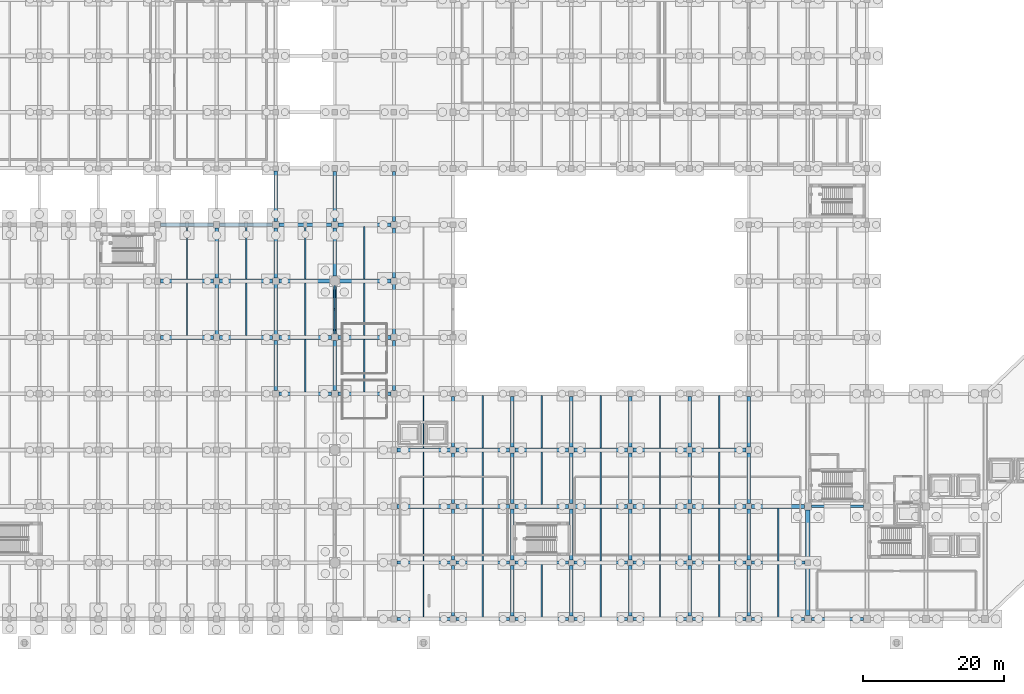
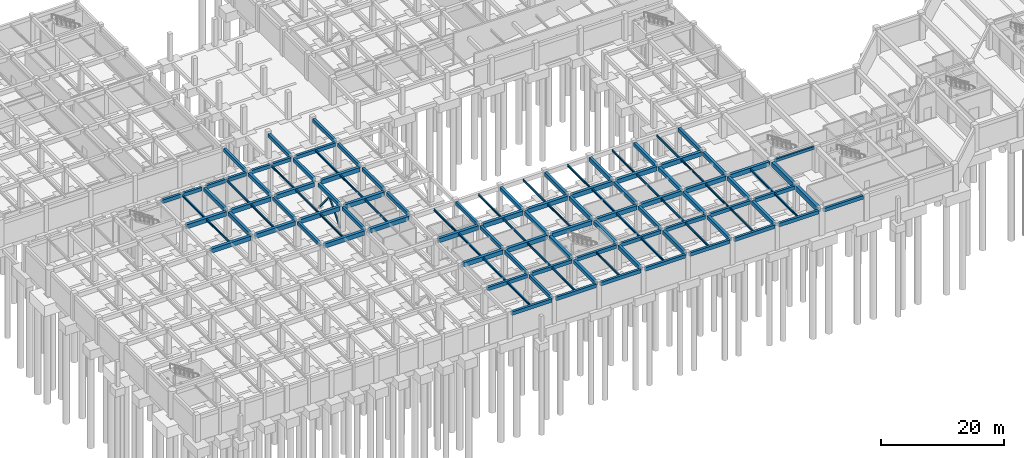
# One storey, part 31 of 56: 117 beams, 2 members.
"""IFC4 building model written with IfcOpenShell, lengths in metres."""

from ifc_helpers import new_model, si_unit, direction, frame, origin, origin_2d, place, context, subcontext, project, spatial, rectangle, hollow_rectangle, i_section, extrude, material, material_profile, profile_set, type_object, element, save


model = new_model("IFC4")

# Units and contexts
model_context = context("Model", 3, precision=1e-05, world=origin(), true_north=direction((0.0, 1.0)))
body_context = subcontext(model_context, "Body", "Model", "MODEL_VIEW")
ifc_project = project(units=[si_unit("LENGTHUNIT", "METRE"), si_unit("AREAUNIT", "SQUARE_METRE"), si_unit("VOLUMEUNIT", "CUBIC_METRE"), si_unit("PLANEANGLEUNIT", "RADIAN"), si_unit("MASSUNIT", "GRAM", prefix="KILO")], contexts=[model_context])

# Site, building, storey
site_placement = place(None, origin())
site = spatial("IfcSite", under=ifc_project, at=site_placement, CompositionType="ELEMENT")
building_placement = place(site_placement, origin())
building = spatial("IfcBuilding", under=site, at=building_placement, Name="Naruveol Harbour Congress Hotel", CompositionType="ELEMENT")
storey_placement = place(building_placement, frame((0.0, 0.0, -5.39990234375)))
storey = spatial("IfcBuildingStorey", under=building, at=storey_placement, Name="B01", CompositionType="ELEMENT", Elevation=-5.39990234375)

# Beams
ifc_material_1 = material(Name="Concrete C40/50", Category="concrete")
ifc_material_profile_1 = material_profile(ifc_material_1, rectangle(XDim=0.5, YDim=0.75, at=origin_2d()), Name="RCB-500x750")
ifc_profile_set_1 = profile_set([ifc_material_profile_1], Name="Concrete C40/50")
beam_type_1 = type_object("IfcBeamType", Name="RC FLOOR GIRDER 500X750", PredefinedType="BEAM", material=ifc_profile_set_1)
for number, where, z_axis, x_axis, name in (
    (1, (33.60009765625, 40.446044921875, 4.6748046875), (0.0, 1.0, 0.0), (-1.0, 0.0, 0.0), "Transverse girder L00 CB3"),
    (2, (33.60009765625, 48.446044921875, 4.6748046875), (0.0, 1.0, 0.0), (-1.0, 0.0, 0.0), "Transverse girder L00 CB3"),
):
    element("IfcBeam", number, at=place(storey_placement, frame(where, z_axis=z_axis, x_axis=x_axis)), inside=storey, type_object=beam_type_1, Name=name, PredefinedType="BEAM", context=body_context, shape_type="SweptSolid", body=[
        extrude(rectangle(XDim=0.5, YDim=0.75, at=origin_2d()), origin(), (0.0, 0.0, 1.0), 7.10791015625),
    ])
for number, where, z_axis, x_axis, name in (
    (3, (75.60009765625, 0.39599609375, 4.625), (0.0, 1.0, 0.0), (-1.0, 0.0, 0.0), "Transverse girder L00 CB3"),
    (4, (75.60009765625, 8.39599609375, 4.625), (0.0, 1.0, 0.0), (-1.0, 0.0, 0.0), "Transverse girder L00 CB3"),
    (5, (75.60009765625, 16.39599609375, 4.6748046875), (0.0, 1.0, 0.0), (-1.0, 0.0, 0.0), "Transverse girder L00 CB3"),
    (6, (75.60009765625, 24.39599609375, 4.625), (0.0, 1.0, 0.0), (-1.0, 0.0, 0.0), "Transverse girder L00 CB3"),
    (7, (84.0, 0.39599609375, 4.625), (0.0, 1.0, 0.0), (-1.0, 0.0, 0.0), "Transverse girder L00 CB3"),
    (8, (84.0, 8.39599609375, 4.625), (0.0, 1.0, 0.0), (-1.0, 0.0, 0.0), "Transverse girder L00 CB3"),
    (9, (84.0, 16.39599609375, 4.6748046875), (0.0, 1.0, 0.0), (-1.0, 0.0, 0.0), "Transverse girder L00 CB3"),
    (10, (84.0, 24.39599609375, 4.625), (0.0, 1.0, 0.0), (-1.0, 0.0, 0.0), "Transverse girder L00 CB3"),
    (11, (92.39990234375, 0.39599609375, 4.625), (0.0, 1.0, 0.0), (-1.0, 0.0, 0.0), "Transverse girder L00 CB3"),
    (12, (92.39990234375, 8.39599609375, 4.625), (0.0, 1.0, 0.0), (-1.0, 0.0, 0.0), "Transverse girder L00 CB3"),
    (13, (92.39990234375, 16.39599609375, 4.6748046875), (0.0, 1.0, 0.0), (-1.0, 0.0, 0.0), "Transverse girder L00 CB3"),
    (14, (92.39990234375, 24.39599609375, 4.625), (0.0, 1.0, 0.0), (-1.0, 0.0, 0.0), "Transverse girder L00 CB3"),
    (15, (100.800048828125, 0.39599609375, 4.625), (0.0, 1.0, 0.0), (-1.0, 0.0, 0.0), "Transverse girder L00 CB3"),
    (16, (100.800048828125, 8.39599609375, 4.625), (0.0, 1.0, 0.0), (-1.0, 0.0, 0.0), "Transverse girder L00 CB3"),
    (17, (100.800048828125, 16.39599609375, 4.6748046875), (0.0, 1.0, 0.0), (-1.0, 0.0, 0.0), "Transverse girder L00 CB3"),
    (18, (100.800048828125, 24.39599609375, 4.625), (0.0, 1.0, 0.0), (-1.0, 0.0, 0.0), "Transverse girder L00 CB3"),
    (19, (109.199951171875, 0.39599609375, 4.625), (0.0, 1.0, 0.0), (-1.0, 0.0, 0.0), "Transverse girder L00 CB3"),
    (20, (109.199951171875, 8.39599609375, 4.625), (0.0, 1.0, 0.0), (-1.0, 0.0, 0.0), "Transverse girder L00 CB3"),
    (21, (109.199951171875, 16.39599609375, 4.6748046875), (0.0, 1.0, 0.0), (-1.0, 0.0, 0.0), "Transverse girder L00 CB3"),
    (22, (109.199951171875, 24.39599609375, 4.625), (0.0, 1.0, 0.0), (-1.0, 0.0, 0.0), "Transverse girder L00 CB3"),
):
    element("IfcBeam", number, at=place(storey_placement, frame(where, z_axis=z_axis, x_axis=x_axis)), inside=storey, type_object=beam_type_1, Name=name, PredefinedType="BEAM", context=body_context, shape_type="SweptSolid", body=[
        extrude(rectangle(XDim=0.5, YDim=0.75, at=origin_2d()), origin(), (0.0, 0.0, 1.0), 7.2080078125),
    ])
ifc_material_2 = material(Name="Concrete C40/50", Category="concrete")
ifc_material_profile_2 = material_profile(ifc_material_2, rectangle(XDim=0.60009765625, YDim=0.949951171875, at=origin_2d()), Name="RCB-600x950")
ifc_profile_set_2 = profile_set([ifc_material_profile_2], Name="Concrete C40/50")
beam_type_2 = type_object("IfcBeamType", Name="RC LONG SPAN GIRDER 600X950", PredefinedType="BEAM", material=ifc_profile_set_2)
beam_1_placement = place(storey_placement, frame((117.60009765625, 0.49609375, 4.52490234375), z_axis=(0.0, 1.0, 0.0), x_axis=(-1.0, 0.0, 0.0)))
element("IfcBeam", 23, at=beam_1_placement, inside=storey, type_object=beam_type_2, Name="Hotel pilotis girder L00 CB1", PredefinedType="BEAM", context=body_context, shape_type="SweptSolid", body=[
    extrude(rectangle(XDim=0.60009765625, YDim=0.949951171875, at=origin_2d()), origin(), (0.0, 0.0, 1.0), 15.0078125),
])
ifc_material_3 = material(Name="Concrete C40/50", Category="concrete")
ifc_material_profile_3 = material_profile(ifc_material_3, rectangle(XDim=0.550048828125, YDim=0.85009765625, at=origin_2d()), Name="RCB-550x850")
ifc_profile_set_3 = profile_set([ifc_material_profile_3], Name="Concrete C40/50")
beam_type_3 = type_object("IfcBeamType", Name="RC PRIMARY GIRDER 550X850", PredefinedType="BEAM", material=ifc_profile_set_3)
beam_2_placement = place(storey_placement, frame((59.24609375, 16.0, 4.625), z_axis=(1.0, 0.0, 0.0), x_axis=(0.0, 1.0, 0.0)))
element("IfcBeam", 24, at=beam_2_placement, inside=storey, type_object=beam_type_3, Name="Floor girder L00 CB2", PredefinedType="BEAM", context=body_context, shape_type="SweptSolid", body=[
    extrude(rectangle(XDim=0.550048828125, YDim=0.85009765625, at=origin_2d()), origin(), (0.0, 0.0, 1.0), 7.557861328125),
])
beam_3_placement = place(storey_placement, frame((67.595947265625, 16.0, 4.625), z_axis=(1.0, 0.0, 0.0), x_axis=(0.0, 1.0, 0.0)))
element("IfcBeam", 25, at=beam_3_placement, inside=storey, type_object=beam_type_3, Name="Floor girder L00 CB2", PredefinedType="BEAM", context=body_context, shape_type="SweptSolid", body=[
    extrude(rectangle(XDim=0.550048828125, YDim=0.85009765625, at=origin_2d()), origin(), (0.0, 0.0, 1.0), 7.608154296875),
])
for number, where, z_axis, x_axis, name in (
    (26, (75.99609375, 16.0, 4.625), (1.0, 0.0, 0.0), (0.0, 1.0, 0.0), "Floor girder L00 CB2"),
    (27, (84.39599609375, 16.0, 4.625), (1.0, 0.0, 0.0), (0.0, 1.0, 0.0), "Floor girder L00 CB2"),
):
    element("IfcBeam", number, at=place(storey_placement, frame(where, z_axis=z_axis, x_axis=x_axis)), inside=storey, type_object=beam_type_3, Name=name, PredefinedType="BEAM", context=body_context, shape_type="SweptSolid", body=[
        extrude(rectangle(XDim=0.550048828125, YDim=0.85009765625, at=origin_2d()), origin(), (0.0, 0.0, 1.0), 7.60791015625),
    ])
beam_4_placement = place(storey_placement, frame((92.7958984375, 16.0, 4.625), z_axis=(1.0, 0.0, 0.0), x_axis=(0.0, 1.0, 0.0)))
element("IfcBeam", 28, at=beam_4_placement, inside=storey, type_object=beam_type_3, Name="Floor girder L00 CB2", PredefinedType="BEAM", context=body_context, shape_type="SweptSolid", body=[
    extrude(rectangle(XDim=0.550048828125, YDim=0.85009765625, at=origin_2d()), origin(), (0.0, 0.0, 1.0), 7.608154296875),
])
beam_5_placement = place(storey_placement, frame((101.196044921875, 16.0, 4.625), z_axis=(1.0, 0.0, 0.0), x_axis=(0.0, 1.0, 0.0)))
element("IfcBeam", 29, at=beam_5_placement, inside=storey, type_object=beam_type_3, Name="Floor girder L00 CB2", PredefinedType="BEAM", context=body_context, shape_type="SweptSolid", body=[
    extrude(rectangle(XDim=0.550048828125, YDim=0.85009765625, at=origin_2d()), origin(), (0.0, 0.0, 1.0), 7.60791015625),
])
beam_6_placement = place(storey_placement, frame((109.595947265625, 16.0, 4.625), z_axis=(1.0, 0.0, 0.0), x_axis=(0.0, 1.0, 0.0)))
element("IfcBeam", 30, at=beam_6_placement, inside=storey, type_object=beam_type_3, Name="Floor girder L00 CB2", PredefinedType="BEAM", context=body_context, shape_type="SweptSolid", body=[
    extrude(rectangle(XDim=0.550048828125, YDim=0.85009765625, at=origin_2d()), origin(), (0.0, 0.0, 1.0), 7.508056640625),
])
beam_7_placement = place(storey_placement, frame((59.24609375, 24.0, 4.625), z_axis=(1.0, 0.0, 0.0), x_axis=(0.0, 1.0, 0.0)))
element("IfcBeam", 31, at=beam_7_placement, inside=storey, type_object=beam_type_3, Name="Floor girder L00 CB2", PredefinedType="BEAM", context=body_context, shape_type="SweptSolid", body=[
    extrude(rectangle(XDim=0.550048828125, YDim=0.85009765625, at=origin_2d()), origin(), (0.0, 0.0, 1.0), 7.557861328125),
])
beam_8_placement = place(storey_placement, frame((67.595947265625, 24.0, 4.625), z_axis=(1.0, 0.0, 0.0), x_axis=(0.0, 1.0, 0.0)))
element("IfcBeam", 32, at=beam_8_placement, inside=storey, type_object=beam_type_3, Name="Floor girder L00 CB2", PredefinedType="BEAM", context=body_context, shape_type="SweptSolid", body=[
    extrude(rectangle(XDim=0.550048828125, YDim=0.85009765625, at=origin_2d()), origin(), (0.0, 0.0, 1.0), 7.608154296875),
])
for number, where, z_axis, x_axis, name in (
    (33, (75.99609375, 24.0, 4.625), (1.0, 0.0, 0.0), (0.0, 1.0, 0.0), "Floor girder L00 CB2"),
    (34, (84.39599609375, 24.0, 4.625), (1.0, 0.0, 0.0), (0.0, 1.0, 0.0), "Floor girder L00 CB2"),
):
    element("IfcBeam", number, at=place(storey_placement, frame(where, z_axis=z_axis, x_axis=x_axis)), inside=storey, type_object=beam_type_3, Name=name, PredefinedType="BEAM", context=body_context, shape_type="SweptSolid", body=[
        extrude(rectangle(XDim=0.550048828125, YDim=0.85009765625, at=origin_2d()), origin(), (0.0, 0.0, 1.0), 7.60791015625),
    ])
beam_9_placement = place(storey_placement, frame((92.7958984375, 24.0, 4.625), z_axis=(1.0, 0.0, 0.0), x_axis=(0.0, 1.0, 0.0)))
element("IfcBeam", 35, at=beam_9_placement, inside=storey, type_object=beam_type_3, Name="Floor girder L00 CB2", PredefinedType="BEAM", context=body_context, shape_type="SweptSolid", body=[
    extrude(rectangle(XDim=0.550048828125, YDim=0.85009765625, at=origin_2d()), origin(), (0.0, 0.0, 1.0), 7.608154296875),
])
beam_10_placement = place(storey_placement, frame((101.196044921875, 24.0, 4.625), z_axis=(1.0, 0.0, 0.0), x_axis=(0.0, 1.0, 0.0)))
element("IfcBeam", 36, at=beam_10_placement, inside=storey, type_object=beam_type_3, Name="Floor girder L00 CB2", PredefinedType="BEAM", context=body_context, shape_type="SweptSolid", body=[
    extrude(rectangle(XDim=0.550048828125, YDim=0.85009765625, at=origin_2d()), origin(), (0.0, 0.0, 1.0), 7.60791015625),
])
for number, where, z_axis, x_axis, name in (
    (37, (42.446044921875, 32.0, 4.625), (1.0, 0.0, 0.0), (0.0, 1.0, 0.0), "Floor girder L00 CB2"),
    (38, (50.845947265625, 32.0, 4.625), (1.0, 0.0, 0.0), (0.0, 1.0, 0.0), "Floor girder L00 CB2"),
    (39, (25.64599609375, 40.0, 4.625), (1.0, 0.0, 0.0), (0.0, 1.0, 0.0), "Floor girder L00 CB2"),
    (40, (34.0458984375, 40.0, 4.625), (1.0, 0.0, 0.0), (0.0, 1.0, 0.0), "Floor girder L00 CB2"),
    (41, (42.446044921875, 40.0, 4.625), (1.0, 0.0, 0.0), (0.0, 1.0, 0.0), "Floor girder L00 CB2"),
    (42, (50.845947265625, 40.0, 4.625), (1.0, 0.0, 0.0), (0.0, 1.0, 0.0), "Floor girder L00 CB2"),
    (43, (25.64599609375, 48.0, 4.625), (1.0, 0.0, 0.0), (0.0, 1.0, 0.0), "Floor girder L00 CB2"),
    (44, (34.0458984375, 48.0, 4.625), (1.0, 0.0, 0.0), (0.0, 1.0, 0.0), "Floor girder L00 CB2"),
):
    element("IfcBeam", number, at=place(storey_placement, frame(where, z_axis=z_axis, x_axis=x_axis)), inside=storey, type_object=beam_type_3, Name=name, PredefinedType="BEAM", context=body_context, shape_type="SweptSolid", body=[
        extrude(rectangle(XDim=0.550048828125, YDim=0.85009765625, at=origin_2d()), origin(), (0.0, 0.0, 1.0), 7.508056640625),
    ])
for number, where, z_axis, x_axis, name in (
    (45, (42.446044921875, 48.0, 4.625), (1.0, 0.0, 0.0), (0.0, 1.0, 0.0), "Floor girder L00 CB2"),
    (46, (51.095947265625, 48.0, 4.625), (1.0, 0.0, 0.0), (0.0, 1.0, 0.0), "Floor girder L00 CB2"),
):
    element("IfcBeam", number, at=place(storey_placement, frame(where, z_axis=z_axis, x_axis=x_axis)), inside=storey, type_object=beam_type_3, Name=name, PredefinedType="BEAM", context=body_context, shape_type="SweptSolid", body=[
        extrude(rectangle(XDim=0.550048828125, YDim=0.85009765625, at=origin_2d()), origin(), (0.0, 0.0, 1.0), 7.258056640625),
    ])
ifc_material_4 = material(Name="Concrete C40/50", Category="concrete")
ifc_material_profile_4 = material_profile(ifc_material_4, rectangle(XDim=0.35009765625, YDim=0.550048828125, at=origin_2d()), Name="RCB-350x550")
ifc_profile_set_4 = profile_set([ifc_material_profile_4], Name="Concrete C40/50")
beam_type_4 = type_object("IfcBeamType", Name="RC SECONDARY BEAM 350X550", PredefinedType="JOIST", material=ifc_profile_set_4)
beam_11_placement = place(storey_placement, frame((118.095947265625, 16.0, 4.77490234375), z_axis=(1.0, 0.0, 0.0), x_axis=(0.0, 1.0, 0.0)))
element("IfcBeam", 47, at=beam_11_placement, inside=storey, type_object=beam_type_4, Name="Hotel chord beam L00 CJ1", PredefinedType="JOIST", context=body_context, shape_type="SweptSolid", body=[
    extrude(rectangle(XDim=0.35009765625, YDim=0.550048828125, at=origin_2d()), origin(), (0.0, 0.0, 1.0), 7.407958984375),
])
ifc_material_5 = material(Name="Concrete C40/50", Category="concrete")
ifc_material_profile_5 = material_profile(ifc_material_5, rectangle(XDim=0.449951171875, YDim=0.699951171875, at=origin_2d()), Name="RCB-450x700")
ifc_profile_set_5 = profile_set([ifc_material_profile_5], Name="Concrete C40/50")
beam_type_5 = type_object("IfcBeamType", Name="RC SPANDREL BEAM 450X700", PredefinedType="SPANDREL", material=ifc_profile_set_5)
beam_12_placement = place(storey_placement, frame((59.24609375, 0.0, 4.64990234375), z_axis=(1.0, 0.0, 0.0), x_axis=(0.0, 1.0, 0.0)))
element("IfcBeam", 48, at=beam_12_placement, inside=storey, type_object=beam_type_5, Name="Floor girder L00 SPB1", PredefinedType="SPANDREL", context=body_context, shape_type="SweptSolid", body=[
    extrude(rectangle(XDim=0.449951171875, YDim=0.699951171875, at=origin_2d()), origin(), (0.0, 0.0, 1.0), 7.557861328125),
])
beam_13_placement = place(storey_placement, frame((67.595947265625, 0.0, 4.64990234375), z_axis=(1.0, 0.0, 0.0), x_axis=(0.0, 1.0, 0.0)))
element("IfcBeam", 49, at=beam_13_placement, inside=storey, type_object=beam_type_5, Name="Floor girder L00 SPB1", PredefinedType="SPANDREL", context=body_context, shape_type="SweptSolid", body=[
    extrude(rectangle(XDim=0.449951171875, YDim=0.699951171875, at=origin_2d()), origin(), (0.0, 0.0, 1.0), 7.608154296875),
])
for number, where, z_axis, x_axis, name in (
    (50, (75.99609375, 0.0, 4.64990234375), (1.0, 0.0, 0.0), (0.0, 1.0, 0.0), "Floor girder L00 SPB1"),
    (51, (84.39599609375, 0.0, 4.64990234375), (1.0, 0.0, 0.0), (0.0, 1.0, 0.0), "Floor girder L00 SPB1"),
):
    element("IfcBeam", number, at=place(storey_placement, frame(where, z_axis=z_axis, x_axis=x_axis)), inside=storey, type_object=beam_type_5, Name=name, PredefinedType="SPANDREL", context=body_context, shape_type="SweptSolid", body=[
        extrude(rectangle(XDim=0.449951171875, YDim=0.699951171875, at=origin_2d()), origin(), (0.0, 0.0, 1.0), 7.60791015625),
    ])
beam_14_placement = place(storey_placement, frame((92.7958984375, 0.0, 4.64990234375), z_axis=(1.0, 0.0, 0.0), x_axis=(0.0, 1.0, 0.0)))
element("IfcBeam", 52, at=beam_14_placement, inside=storey, type_object=beam_type_5, Name="Floor girder L00 SPB1", PredefinedType="SPANDREL", context=body_context, shape_type="SweptSolid", body=[
    extrude(rectangle(XDim=0.449951171875, YDim=0.699951171875, at=origin_2d()), origin(), (0.0, 0.0, 1.0), 7.608154296875),
])
beam_15_placement = place(storey_placement, frame((101.196044921875, 0.0, 4.64990234375), z_axis=(1.0, 0.0, 0.0), x_axis=(0.0, 1.0, 0.0)))
element("IfcBeam", 53, at=beam_15_placement, inside=storey, type_object=beam_type_5, Name="Floor girder L00 SPB1", PredefinedType="SPANDREL", context=body_context, shape_type="SweptSolid", body=[
    extrude(rectangle(XDim=0.449951171875, YDim=0.699951171875, at=origin_2d()), origin(), (0.0, 0.0, 1.0), 7.60791015625),
])
beam_16_placement = place(storey_placement, frame((109.595947265625, 0.0, 4.64990234375), z_axis=(1.0, 0.0, 0.0), x_axis=(0.0, 1.0, 0.0)))
element("IfcBeam", 54, at=beam_16_placement, inside=storey, type_object=beam_type_5, Name="Floor girder L00 SPB1", PredefinedType="SPANDREL", context=body_context, shape_type="SweptSolid", body=[
    extrude(rectangle(XDim=0.449951171875, YDim=0.699951171875, at=origin_2d()), origin(), (0.0, 0.0, 1.0), 7.508056640625),
])
beam_17_placement = place(storey_placement, frame((59.24609375, 8.0, 4.64990234375), z_axis=(1.0, 0.0, 0.0), x_axis=(0.0, 1.0, 0.0)))
element("IfcBeam", 55, at=beam_17_placement, inside=storey, type_object=beam_type_5, Name="Floor girder L00 SPB1", PredefinedType="SPANDREL", context=body_context, shape_type="SweptSolid", body=[
    extrude(rectangle(XDim=0.449951171875, YDim=0.699951171875, at=origin_2d()), origin(), (0.0, 0.0, 1.0), 7.557861328125),
])
beam_18_placement = place(storey_placement, frame((67.595947265625, 8.0, 4.64990234375), z_axis=(1.0, 0.0, 0.0), x_axis=(0.0, 1.0, 0.0)))
element("IfcBeam", 56, at=beam_18_placement, inside=storey, type_object=beam_type_5, Name="Floor girder L00 SPB1", PredefinedType="SPANDREL", context=body_context, shape_type="SweptSolid", body=[
    extrude(rectangle(XDim=0.449951171875, YDim=0.699951171875, at=origin_2d()), origin(), (0.0, 0.0, 1.0), 7.608154296875),
])
for number, where, z_axis, x_axis, name in (
    (57, (75.99609375, 8.0, 4.64990234375), (1.0, 0.0, 0.0), (0.0, 1.0, 0.0), "Floor girder L00 SPB1"),
    (58, (84.39599609375, 8.0, 4.64990234375), (1.0, 0.0, 0.0), (0.0, 1.0, 0.0), "Floor girder L00 SPB1"),
):
    element("IfcBeam", number, at=place(storey_placement, frame(where, z_axis=z_axis, x_axis=x_axis)), inside=storey, type_object=beam_type_5, Name=name, PredefinedType="SPANDREL", context=body_context, shape_type="SweptSolid", body=[
        extrude(rectangle(XDim=0.449951171875, YDim=0.699951171875, at=origin_2d()), origin(), (0.0, 0.0, 1.0), 7.60791015625),
    ])
beam_19_placement = place(storey_placement, frame((92.7958984375, 8.0, 4.64990234375), z_axis=(1.0, 0.0, 0.0), x_axis=(0.0, 1.0, 0.0)))
element("IfcBeam", 59, at=beam_19_placement, inside=storey, type_object=beam_type_5, Name="Floor girder L00 SPB1", PredefinedType="SPANDREL", context=body_context, shape_type="SweptSolid", body=[
    extrude(rectangle(XDim=0.449951171875, YDim=0.699951171875, at=origin_2d()), origin(), (0.0, 0.0, 1.0), 7.608154296875),
])
beam_20_placement = place(storey_placement, frame((101.196044921875, 8.0, 4.64990234375), z_axis=(1.0, 0.0, 0.0), x_axis=(0.0, 1.0, 0.0)))
element("IfcBeam", 60, at=beam_20_placement, inside=storey, type_object=beam_type_5, Name="Floor girder L00 SPB1", PredefinedType="SPANDREL", context=body_context, shape_type="SweptSolid", body=[
    extrude(rectangle(XDim=0.449951171875, YDim=0.699951171875, at=origin_2d()), origin(), (0.0, 0.0, 1.0), 7.60791015625),
])
beam_21_placement = place(storey_placement, frame((109.595947265625, 8.0, 4.64990234375), z_axis=(1.0, 0.0, 0.0), x_axis=(0.0, 1.0, 0.0)))
element("IfcBeam", 61, at=beam_21_placement, inside=storey, type_object=beam_type_5, Name="Floor girder L00 SPB1", PredefinedType="SPANDREL", context=body_context, shape_type="SweptSolid", body=[
    extrude(rectangle(XDim=0.449951171875, YDim=0.699951171875, at=origin_2d()), origin(), (0.0, 0.0, 1.0), 7.608154296875),
])
for number, where, z_axis, x_axis, name in (
    (62, (25.64599609375, 56.0, 4.699951171875), (1.0, 0.0, 0.0), (0.0, 1.0, 0.0), "Floor girder L00 SPB1"),
    (63, (34.0458984375, 56.0, 4.699951171875), (1.0, 0.0, 0.0), (0.0, 1.0, 0.0), "Floor girder L00 SPB1"),
    (64, (42.446044921875, 56.0, 4.699951171875), (1.0, 0.0, 0.0), (0.0, 1.0, 0.0), "Floor girder L00 SPB1"),
    (65, (50.845947265625, 56.0, 4.699951171875), (1.0, 0.0, 0.0), (0.0, 1.0, 0.0), "Floor girder L00 SPB1"),
):
    element("IfcBeam", number, at=place(storey_placement, frame(where, z_axis=z_axis, x_axis=x_axis)), inside=storey, type_object=beam_type_5, Name=name, PredefinedType="SPANDREL", context=body_context, shape_type="SweptSolid", body=[
        extrude(rectangle(XDim=0.449951171875, YDim=0.699951171875, at=origin_2d()), origin(), (0.0, 0.0, 1.0), 7.508056640625),
    ])
for number, where, z_axis, x_axis, name in (
    (66, (42.0, 32.446044921875, 4.699951171875), (0.0, 1.0, 0.0), (-1.0, 0.0, 0.0), "Transverse girder L00 SPB1"),
    (67, (42.0, 40.446044921875, 4.699951171875), (0.0, 1.0, 0.0), (-1.0, 0.0, 0.0), "Transverse girder L00 SPB1"),
    (68, (42.0, 48.446044921875, 4.699951171875), (0.0, 1.0, 0.0), (-1.0, 0.0, 0.0), "Transverse girder L00 SPB1"),
):
    element("IfcBeam", number, at=place(storey_placement, frame(where, z_axis=z_axis, x_axis=x_axis)), inside=storey, type_object=beam_type_5, Name=name, PredefinedType="SPANDREL", context=body_context, shape_type="SweptSolid", body=[
        extrude(rectangle(XDim=0.449951171875, YDim=0.699951171875, at=origin_2d()), origin(), (0.0, 0.0, 1.0), 7.10791015625),
    ])
beam_22_placement = place(storey_placement, frame((42.0, 56.446044921875, 4.64990234375), z_axis=(0.0, 1.0, 0.0), x_axis=(-1.0, 0.0, 0.0)))
element("IfcBeam", 69, at=beam_22_placement, inside=storey, type_object=beam_type_5, Name="Transverse girder L00 SPB1", PredefinedType="SPANDREL", context=body_context, shape_type="SweptSolid", body=[
    extrude(rectangle(XDim=0.449951171875, YDim=0.699951171875, at=origin_2d()), origin(), (0.0, 0.0, 1.0), 7.182861328125),
])
beam_23_placement = place(storey_placement, frame((50.39990234375, 32.446044921875, 4.699951171875), z_axis=(0.0, 1.0, 0.0), x_axis=(-1.0, 0.0, 0.0)))
element("IfcBeam", 70, at=beam_23_placement, inside=storey, type_object=beam_type_5, Name="Transverse girder L00 SPB1", PredefinedType="SPANDREL", context=body_context, shape_type="SweptSolid", body=[
    extrude(rectangle(XDim=0.449951171875, YDim=0.699951171875, at=origin_2d()), origin(), (0.0, 0.0, 1.0), 7.10791015625),
])
for number, where, z_axis, x_axis, name in (
    (71, (50.39990234375, 40.446044921875, 4.699951171875), (0.0, 1.0, 0.0), (-1.0, 0.0, 0.0), "Transverse girder L00 SPB1"),
    (72, (50.39990234375, 48.696044921875, 4.699951171875), (0.0, 1.0, 0.0), (-1.0, 0.0, 0.0), "Transverse girder L00 SPB1"),
):
    element("IfcBeam", number, at=place(storey_placement, frame(where, z_axis=z_axis, x_axis=x_axis)), inside=storey, type_object=beam_type_5, Name=name, PredefinedType="SPANDREL", context=body_context, shape_type="SweptSolid", body=[
        extrude(rectangle(XDim=0.449951171875, YDim=0.699951171875, at=origin_2d()), origin(), (0.0, 0.0, 1.0), 6.85791015625),
    ])
beam_24_placement = place(storey_placement, frame((50.39990234375, 56.446044921875, 4.64990234375), z_axis=(0.0, 1.0, 0.0), x_axis=(-1.0, 0.0, 0.0)))
element("IfcBeam", 73, at=beam_24_placement, inside=storey, type_object=beam_type_5, Name="Transverse girder L00 SPB1", PredefinedType="SPANDREL", context=body_context, shape_type="SweptSolid", body=[
    extrude(rectangle(XDim=0.449951171875, YDim=0.699951171875, at=origin_2d()), origin(), (0.0, 0.0, 1.0), 7.157958984375),
])
for number, where, z_axis, x_axis, name in (
    (74, (58.800048828125, 32.446044921875, 4.699951171875), (0.0, 1.0, 0.0), (-1.0, 0.0, 0.0), "Transverse girder L00 SPB1"),
    (75, (58.800048828125, 40.446044921875, 4.699951171875), (0.0, 1.0, 0.0), (-1.0, 0.0, 0.0), "Transverse girder L00 SPB1"),
    (76, (58.800048828125, 48.446044921875, 4.699951171875), (0.0, 1.0, 0.0), (-1.0, 0.0, 0.0), "Transverse girder L00 SPB1"),
):
    element("IfcBeam", number, at=place(storey_placement, frame(where, z_axis=z_axis, x_axis=x_axis)), inside=storey, type_object=beam_type_5, Name=name, PredefinedType="SPANDREL", context=body_context, shape_type="SweptSolid", body=[
        extrude(rectangle(XDim=0.449951171875, YDim=0.699951171875, at=origin_2d()), origin(), (0.0, 0.0, 1.0), 7.10791015625),
    ])
beam_25_placement = place(storey_placement, frame((58.800048828125, 56.446044921875, 4.699951171875), z_axis=(0.0, 1.0, 0.0), x_axis=(-1.0, 0.0, 0.0)))
element("IfcBeam", 77, at=beam_25_placement, inside=storey, type_object=beam_type_5, Name="Transverse girder L00 SPB1", PredefinedType="SPANDREL", context=body_context, shape_type="SweptSolid", body=[
    extrude(rectangle(XDim=0.449951171875, YDim=0.699951171875, at=origin_2d()), origin(), (0.0, 0.0, 1.0), 7.157958984375),
])
for number, where, z_axis, x_axis, name in (
    (78, (67.199951171875, 0.39599609375, 4.64990234375), (0.0, 1.0, 0.0), (-1.0, 0.0, 0.0), "Transverse girder L00 SPB1"),
    (79, (67.199951171875, 8.39599609375, 4.64990234375), (0.0, 1.0, 0.0), (-1.0, 0.0, 0.0), "Transverse girder L00 SPB1"),
    (80, (67.199951171875, 16.39599609375, 4.699951171875), (0.0, 1.0, 0.0), (-1.0, 0.0, 0.0), "Transverse girder L00 SPB1"),
    (81, (67.199951171875, 24.39599609375, 4.64990234375), (0.0, 1.0, 0.0), (-1.0, 0.0, 0.0), "Transverse girder L00 SPB1"),
):
    element("IfcBeam", number, at=place(storey_placement, frame(where, z_axis=z_axis, x_axis=x_axis)), inside=storey, type_object=beam_type_5, Name=name, PredefinedType="SPANDREL", context=body_context, shape_type="SweptSolid", body=[
        extrude(rectangle(XDim=0.449951171875, YDim=0.699951171875, at=origin_2d()), origin(), (0.0, 0.0, 1.0), 7.2080078125),
    ])
beam_26_placement = place(storey_placement, frame((118.095947265625, 0.0, 4.64990234375), z_axis=(1.0, 0.0, 0.0), x_axis=(0.0, 1.0, 0.0)))
element("IfcBeam", 82, at=beam_26_placement, inside=storey, type_object=beam_type_5, Name="Hotel chord beam L00 SPB1", PredefinedType="SPANDREL", context=body_context, shape_type="SweptSolid", body=[
    extrude(rectangle(XDim=0.449951171875, YDim=0.699951171875, at=origin_2d()), origin(), (0.0, 0.0, 1.0), 7.407958984375),
])

# Members
ifc_material_6 = material(Name="Steel SN490", Category="steel")
ifc_material_profile_6 = material_profile(ifc_material_6, hollow_rectangle(XDim=0.25, YDim=0.25, WallThickness=0.011962890625, at=origin_2d()), Name="SHS-250x250x12")
ifc_profile_set_6 = profile_set([ifc_material_profile_6], Name="Steel SN490")
member_type = type_object("IfcMemberType", Name="STEEL LATERAL FRAME BRACE SHS250", PredefinedType="BRACE", material=ifc_profile_set_6)
member_1_placement = place(storey_placement, frame((50.39990234375, 40.43994140625, 0.159912109375), z_axis=(0.0, 0.652013051017, 0.75820774284), x_axis=(-1.0, 0.0, 0.0)))
element("IfcMember", 83, at=member_1_placement, inside=storey, type_object=member_type, Name="Lateral chevron brace B01 #2A", PredefinedType="BRACE", context=body_context, shape_type="SweptSolid", body=[
    extrude(hollow_rectangle(XDim=0.25, YDim=0.25, WallThickness=0.011962890625, at=origin_2d()), origin(), (0.0, 0.0, 1.0), 5.460205078125),
])
member_2_placement = place(storey_placement, frame((50.39990234375, 47.31005859375, 0.159912109375), z_axis=(0.0, -0.624481575403, 0.781039539321), x_axis=(1.0, 0.0, 0.0)))
element("IfcMember", 84, at=member_2_placement, inside=storey, type_object=member_type, Name="Lateral chevron brace B01 #2B", PredefinedType="BRACE", context=body_context, shape_type="SweptSolid", body=[
    extrude(hollow_rectangle(XDim=0.25, YDim=0.25, WallThickness=0.011962890625, at=origin_2d()), origin(), (0.0, 0.0, 1.0), 5.300537109375),
])

# Beams
ifc_material_7 = material(Name="Steel SN490", Category="steel")
ifc_material_profile_7 = material_profile(ifc_material_7, i_section(OverallWidth=0.199951171875, OverallDepth=0.39990234375, WebThickness=0.008056640625, FlangeThickness=0.012939453125, at=origin_2d()), Name="H-400x200x8x13")
ifc_profile_set_7 = profile_set([ifc_material_profile_7], Name="Steel SN490")
beam_type_6 = type_object("IfcBeamType", Name="STEEL SECONDARY JOIST H400", PredefinedType="JOIST", material=ifc_profile_set_7)
for number, where, z_axis, x_axis, name in (
    (85, (63.0, 0.220947265625, 4.7998046875), (0.0, 1.0, 0.0), (-1.0, 0.0, 0.0), "Secondary floor joist L00 SJ1"),
    (86, (71.39990234375, 0.220947265625, 4.7998046875), (0.0, 1.0, 0.0), (-1.0, 0.0, 0.0), "Secondary floor joist L00 SJ1"),
    (87, (79.800048828125, 0.220947265625, 4.7998046875), (0.0, 1.0, 0.0), (-1.0, 0.0, 0.0), "Secondary floor joist L00 SJ1"),
    (88, (88.199951171875, 0.220947265625, 4.7998046875), (0.0, 1.0, 0.0), (-1.0, 0.0, 0.0), "Secondary floor joist L00 SJ1"),
    (89, (96.60009765625, 0.220947265625, 4.7998046875), (0.0, 1.0, 0.0), (-1.0, 0.0, 0.0), "Secondary floor joist L00 SJ1"),
    (90, (105.0, 0.220947265625, 4.7998046875), (0.0, 1.0, 0.0), (-1.0, 0.0, 0.0), "Secondary floor joist L00 SJ1"),
    (91, (113.39990234375, 0.220947265625, 4.7998046875), (0.0, 1.0, 0.0), (-1.0, 0.0, 0.0), "Secondary floor joist L00 SJ1"),
):
    element("IfcBeam", number, at=place(storey_placement, frame(where, z_axis=z_axis, x_axis=x_axis)), inside=storey, type_object=beam_type_6, Name=name, PredefinedType="JOIST", context=body_context, shape_type="SweptSolid", body=[
        extrude(i_section(OverallWidth=0.199951171875, OverallDepth=0.39990234375, WebThickness=0.008056640625, FlangeThickness=0.012939453125, at=origin_2d()), origin(), (0.0, 0.0, 1.0), 7.55810546875),
    ])
for number, where, z_axis, x_axis, name in (
    (92, (63.0, 8.220947265625, 4.7998046875), (0.0, 1.0, 0.0), (-1.0, 0.0, 0.0), "Secondary floor joist L00 SJ1"),
    (93, (71.39990234375, 8.220947265625, 4.7998046875), (0.0, 1.0, 0.0), (-1.0, 0.0, 0.0), "Secondary floor joist L00 SJ1"),
    (94, (88.199951171875, 8.220947265625, 4.7998046875), (0.0, 1.0, 0.0), (-1.0, 0.0, 0.0), "Secondary floor joist L00 SJ1"),
    (95, (96.60009765625, 8.220947265625, 4.7998046875), (0.0, 1.0, 0.0), (-1.0, 0.0, 0.0), "Secondary floor joist L00 SJ1"),
    (96, (105.0, 8.220947265625, 4.7998046875), (0.0, 1.0, 0.0), (-1.0, 0.0, 0.0), "Secondary floor joist L00 SJ1"),
    (97, (113.39990234375, 8.220947265625, 4.7998046875), (0.0, 1.0, 0.0), (-1.0, 0.0, 0.0), "Secondary floor joist L00 SJ1"),
):
    element("IfcBeam", number, at=place(storey_placement, frame(where, z_axis=z_axis, x_axis=x_axis)), inside=storey, type_object=beam_type_6, Name=name, PredefinedType="JOIST", context=body_context, shape_type="SweptSolid", body=[
        extrude(i_section(OverallWidth=0.199951171875, OverallDepth=0.39990234375, WebThickness=0.008056640625, FlangeThickness=0.012939453125, at=origin_2d()), origin(), (0.0, 0.0, 1.0), 7.508056640625),
    ])
for number, where, z_axis, x_axis, name in (
    (98, (63.0, 16.27099609375, 4.849853515625), (0.0, 1.0, 0.0), (-1.0, 0.0, 0.0), "Secondary floor joist L00 SJ1"),
    (99, (71.39990234375, 16.27099609375, 4.849853515625), (0.0, 1.0, 0.0), (-1.0, 0.0, 0.0), "Secondary floor joist L00 SJ1"),
    (100, (79.800048828125, 16.27099609375, 4.849853515625), (0.0, 1.0, 0.0), (-1.0, 0.0, 0.0), "Secondary floor joist L00 SJ1"),
    (101, (88.199951171875, 16.27099609375, 4.849853515625), (0.0, 1.0, 0.0), (-1.0, 0.0, 0.0), "Secondary floor joist L00 SJ1"),
    (102, (96.60009765625, 16.27099609375, 4.849853515625), (0.0, 1.0, 0.0), (-1.0, 0.0, 0.0), "Secondary floor joist L00 SJ1"),
    (103, (105.0, 16.27099609375, 4.849853515625), (0.0, 1.0, 0.0), (-1.0, 0.0, 0.0), "Secondary floor joist L00 SJ1"),
    (104, (63.0, 24.27099609375, 4.7998046875), (0.0, 1.0, 0.0), (-1.0, 0.0, 0.0), "Secondary floor joist L00 SJ1"),
    (105, (71.39990234375, 24.27099609375, 4.7998046875), (0.0, 1.0, 0.0), (-1.0, 0.0, 0.0), "Secondary floor joist L00 SJ1"),
    (106, (79.800048828125, 24.27099609375, 4.7998046875), (0.0, 1.0, 0.0), (-1.0, 0.0, 0.0), "Secondary floor joist L00 SJ1"),
    (107, (88.199951171875, 24.27099609375, 4.7998046875), (0.0, 1.0, 0.0), (-1.0, 0.0, 0.0), "Secondary floor joist L00 SJ1"),
    (108, (96.60009765625, 24.27099609375, 4.7998046875), (0.0, 1.0, 0.0), (-1.0, 0.0, 0.0), "Secondary floor joist L00 SJ1"),
    (109, (105.0, 24.27099609375, 4.7998046875), (0.0, 1.0, 0.0), (-1.0, 0.0, 0.0), "Secondary floor joist L00 SJ1"),
    (110, (46.199951171875, 32.27099609375, 4.849853515625), (0.0, 1.0, 0.0), (-1.0, 0.0, 0.0), "Secondary floor joist L00 SJ1"),
    (111, (54.60009765625, 32.27099609375, 4.849853515625), (0.0, 1.0, 0.0), (-1.0, 0.0, 0.0), "Secondary floor joist L00 SJ1"),
    (112, (29.39990234375, 40.27099609375, 4.849853515625), (0.0, 1.0, 0.0), (-1.0, 0.0, 0.0), "Secondary floor joist L00 SJ1"),
    (113, (37.800048828125, 40.27099609375, 4.849853515625), (0.0, 1.0, 0.0), (-1.0, 0.0, 0.0), "Secondary floor joist L00 SJ1"),
    (114, (46.199951171875, 40.27099609375, 4.849853515625), (0.0, 1.0, 0.0), (-1.0, 0.0, 0.0), "Secondary floor joist L00 SJ1"),
    (115, (54.60009765625, 40.27099609375, 4.849853515625), (0.0, 1.0, 0.0), (-1.0, 0.0, 0.0), "Secondary floor joist L00 SJ1"),
):
    element("IfcBeam", number, at=place(storey_placement, frame(where, z_axis=z_axis, x_axis=x_axis)), inside=storey, type_object=beam_type_6, Name=name, PredefinedType="JOIST", context=body_context, shape_type="SweptSolid", body=[
        extrude(i_section(OverallWidth=0.199951171875, OverallDepth=0.39990234375, WebThickness=0.008056640625, FlangeThickness=0.012939453125, at=origin_2d()), origin(), (0.0, 0.0, 1.0), 7.4580078125),
    ])
for number, where, z_axis, x_axis, name in (
    (116, (29.39990234375, 48.27099609375, 4.849853515625), (0.0, 1.0, 0.0), (-1.0, 0.0, 0.0), "Secondary floor joist L00 SJ1"),
    (117, (37.800048828125, 48.27099609375, 4.849853515625), (0.0, 1.0, 0.0), (-1.0, 0.0, 0.0), "Secondary floor joist L00 SJ1"),
    (118, (46.199951171875, 48.27099609375, 4.849853515625), (0.0, 1.0, 0.0), (-1.0, 0.0, 0.0), "Secondary floor joist L00 SJ1"),
    (119, (54.60009765625, 48.27099609375, 4.849853515625), (0.0, 1.0, 0.0), (-1.0, 0.0, 0.0), "Secondary floor joist L00 SJ1"),
):
    element("IfcBeam", number, at=place(storey_placement, frame(where, z_axis=z_axis, x_axis=x_axis)), inside=storey, type_object=beam_type_6, Name=name, PredefinedType="JOIST", context=body_context, shape_type="SweptSolid", body=[
        extrude(i_section(OverallWidth=0.199951171875, OverallDepth=0.39990234375, WebThickness=0.008056640625, FlangeThickness=0.012939453125, at=origin_2d()), origin(), (0.0, 0.0, 1.0), 7.508056640625),
    ])

save(model, "model.ifc")
